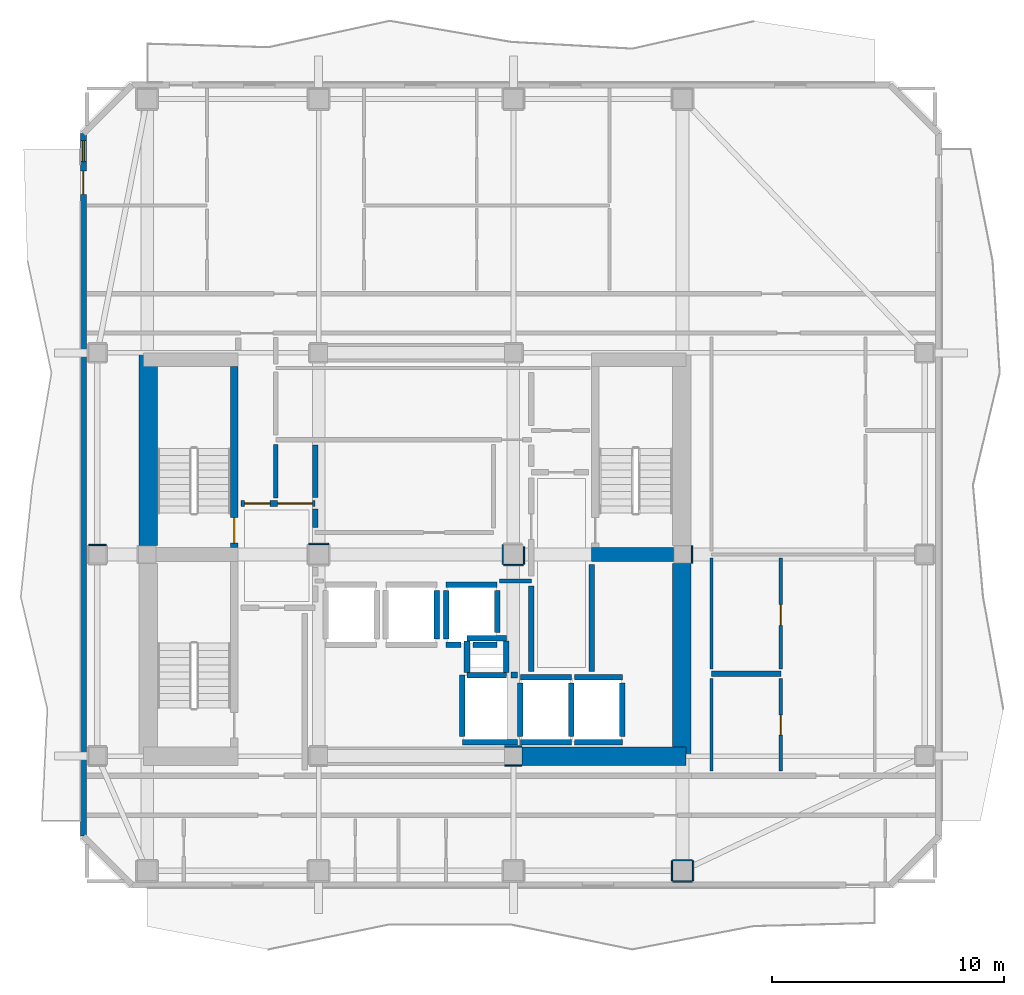
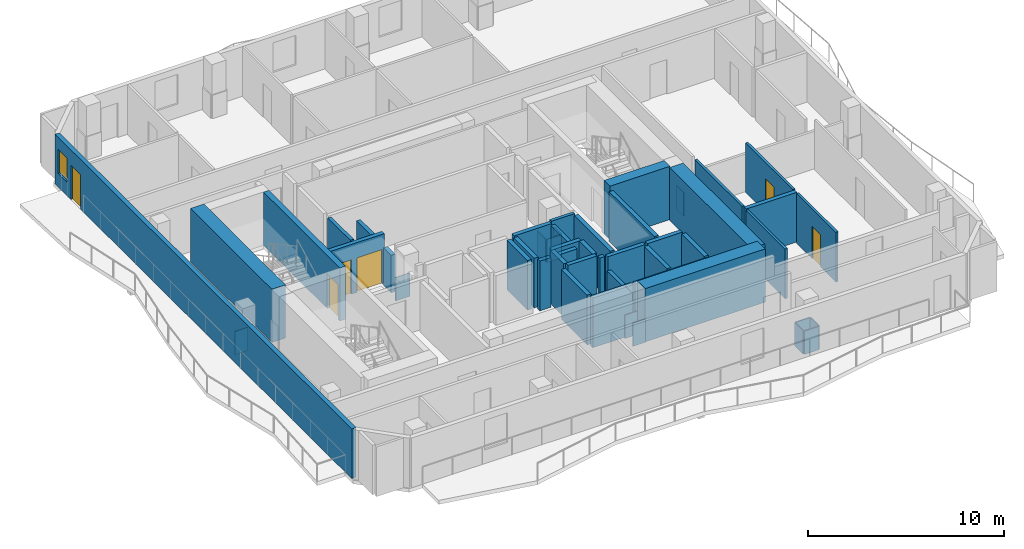
# One storey, part 3 of 9: 50 walls, 6 doors, 1 window, 7 openings.
"""IFC4 building model written with IfcOpenShell, lengths in metres."""

from ifc_helpers import new_model, si_unit, direction, frame, frame_2d, origin, place, context, subcontext, project, spatial, rectangle, extrude, material, layer, layer_set, type_object, element, fill, save


model = new_model("IFC4")

# Units and contexts
model_context = context("Model", 3, precision=1e-05, world=origin(), true_north=direction((0.0, 1.0)))
body_context = subcontext(model_context, "Body", "Model", "MODEL_VIEW")
ifc_project = project(units=[si_unit("LENGTHUNIT", "METRE"), si_unit("AREAUNIT", "SQUARE_METRE"), si_unit("VOLUMEUNIT", "CUBIC_METRE"), si_unit("PLANEANGLEUNIT", "RADIAN"), si_unit("MASSUNIT", "GRAM", prefix="KILO")], contexts=[model_context])

# Site, building, storey
site_placement = place(None, origin())
site = spatial("IfcSite", under=ifc_project, at=site_placement, CompositionType="ELEMENT")
building_placement = place(site_placement, origin())
building = spatial("IfcBuilding", under=site, at=building_placement, Name="Solanera Arch Residences", CompositionType="ELEMENT")
storey_placement = place(building_placement, frame((0.0, 0.0, 234.60009765625)))
storey = spatial("IfcBuildingStorey", under=building, at=storey_placement, Name="L68", CompositionType="ELEMENT", Elevation=234.60009765625)

# Walls
ifc_material_1 = material(Name="Fire-Rated Gypsum Stud Partition", Category="gypsum")
ifc_layer_1 = layer(ifc_material_1, 0.06005859375)
ifc_layer_set_1 = layer_set([ifc_layer_1], Name="Fire-Rated Gypsum Stud Partition")
wall_type_1 = type_object("IfcWallType", Name="Column Acoustic Furring Wall 60", PredefinedType="PARTITIONING", material=ifc_layer_set_1)
for number, where, z_axis, x_axis, name in (
    (1, (28.8330078125, 21.593017578125, 0.0), (0.0, 0.0, 1.0), (1.0, 0.0, 0.0), "L68 Column Furring 2S"),
    (2, (28.8330078125, 22.406982421875, 0.0), (0.0, 0.0, 1.0), (1.0, 0.0, 0.0), "L68 Column Furring 2N"),
):
    element("IfcWall", number, at=place(storey_placement, frame(where, z_axis=z_axis, x_axis=x_axis)), inside=storey, type_object=wall_type_1, Name=name, PredefinedType="PARTITIONING", context=body_context, shape_type="SweptSolid", body=[
        extrude(rectangle(XDim=0.73388671875, YDim=0.06005859375, at=frame_2d((0.366943359375, 0.0))), origin(), (0.0, 0.0, 1.0), 1.449951171875),
    ])
wall_1_placement = place(storey_placement, frame((36.906982421875, 30.324951171875, 0.0), z_axis=(0.0, 0.0, 1.0), x_axis=(0.0, 1.0, 0.0)))
element("IfcWall", 3, at=wall_1_placement, inside=storey, type_object=wall_type_1, Name="L68 Column Furring 6E", PredefinedType="PARTITIONING", context=body_context, shape_type="SweptSolid", body=[
    extrude(rectangle(XDim=0.75, YDim=0.06005859375, at=frame_2d((0.375, 0.0))), origin(), (0.0, 0.0, 1.0), 1.449951171875),
])
for number, where, z_axis, x_axis, name in (
    (4, (20.375, 31.156982421875, 0.0), (0.0, 0.0, 1.0), (1.0, 0.0, 0.0), "L68 Column Furring 7N"),
    (5, (28.77490234375, 30.242919921875, 0.0), (0.0, 0.0, 1.0), (1.0, 0.0, 0.0), "L68 Column Furring 8S"),
    (6, (28.742919921875, 30.27490234375, 0.0), (0.0, 0.0, 1.0), (0.0, 1.0, 0.0), "L68 Column Furring 8W"),
):
    element("IfcWall", number, at=place(storey_placement, frame(where, z_axis=z_axis, x_axis=x_axis)), inside=storey, type_object=wall_type_1, Name=name, PredefinedType="PARTITIONING", context=body_context, shape_type="SweptSolid", body=[
        extrude(rectangle(XDim=0.85009765625, YDim=0.06005859375, at=frame_2d((0.425048828125, 0.0))), origin(), (0.0, 0.0, 1.0), 1.449951171875),
    ])
wall_2_placement = place(storey_placement, frame((29.656982421875, 30.27490234375, 0.0), z_axis=(0.0, 0.0, 1.0), x_axis=(0.0, 1.0, 0.0)))
element("IfcWall", 7, at=wall_2_placement, inside=storey, type_object=wall_type_1, Name="L68 Column Furring 8E", PredefinedType="PARTITIONING", context=body_context, shape_type="SweptSolid", body=[
    extrude(rectangle(XDim=0.757080078125, YDim=0.06005859375, at=frame_2d((0.37841796875, 0.0))), origin(), (0.0, 0.0, 1.0), 1.449951171875),
])
for number, where, z_axis, x_axis, name in (
    (8, (36.074951171875, 16.593017578125, 0.0), (0.0, 0.0, 1.0), (1.0, 0.0, 0.0), "L68 Column Furring 15S"),
    (9, (36.074951171875, 17.507080078125, 0.0), (0.0, 0.0, 1.0), (1.0, 0.0, 0.0), "L68 Column Furring 15N"),
    (10, (36.04296875, 16.625, 0.0), (0.0, 0.0, 1.0), (0.0, 1.0, 0.0), "L68 Column Furring 15W"),
    (11, (36.95703125, 16.625, 0.0), (0.0, 0.0, 1.0), (0.0, 1.0, 0.0), "L68 Column Furring 15E"),
):
    element("IfcWall", number, at=place(storey_placement, frame(where, z_axis=z_axis, x_axis=x_axis)), inside=storey, type_object=wall_type_1, Name=name, PredefinedType="PARTITIONING", context=body_context, shape_type="SweptSolid", body=[
        extrude(rectangle(XDim=0.85009765625, YDim=0.06005859375, at=frame_2d((0.425048828125, 0.0))), origin(), (0.0, 0.0, 1.0), 1.449951171875),
    ])
wall_3_placement = place(storey_placement, frame((10.875, 31.10693359375, 0.0), z_axis=(0.0, 0.0, 1.0), x_axis=(1.0, 0.0, 0.0)))
element("IfcWall", 12, at=wall_3_placement, inside=storey, type_object=wall_type_1, Name="L68 Column Furring 19N", PredefinedType="PARTITIONING", context=body_context, shape_type="SweptSolid", body=[
    extrude(rectangle(XDim=0.75, YDim=0.06005859375, at=frame_2d((0.375, 0.0))), origin(), (0.0, 0.0, 1.0), 1.449951171875),
])

# Wall, opening, door
ifc_material_2 = material(Name="Concrete C40/50 (f'c = 45 MPa)", Category="concrete")
ifc_layer_2 = layer(ifc_material_2, 0.320068359375)
ifc_layer_set_2 = layer_set([ifc_layer_2], Name="Concrete C40/50 (f'c = 45 MPa)")
wall_type_2 = type_object("IfcWallType", Name="Core Shear Wall CW-320", PredefinedType="SHEAR", material=ifc_layer_set_2)
wall_4_placement = place(storey_placement, frame((17.159912109375, 31.0, 0.0), z_axis=(0.0, 0.0, 1.0), x_axis=(0.0, 1.0, 0.0)))
wall_4 = element("IfcWall", 13, at=wall_4_placement, inside=storey, type_object=wall_type_2, Name="L68 Stair ST-T1 East Shear Wall", PredefinedType="SHEAR", context=body_context, shape_type="SweptSolid", body=[
    extrude(rectangle(XDim=7.800048828125, YDim=0.320068359375, at=frame_2d((3.89990234375, 0.0))), origin(), (0.0, 0.0, 1.0), 3.31982421875),
])
opening_1_placement = place(wall_4_placement, frame((0.18994140625, 0.0, 0.0)))
opening_1 = element("IfcOpeningElement", 14, at=opening_1_placement, cuts=wall_4, Name="Opening DF-01", PredefinedType="OPENING", context=body_context, shape_type="SweptSolid", body=[
    extrude(rectangle(XDim=1.10009765625, YDim=2.14990234375, at=frame_2d((0.550048828125, 1.074951171875))), frame((0.0, 0.169921875, 0.0), z_axis=(0.0, -1.0, 0.0), x_axis=(1.0, 0.0, 0.0)), (0.0, 0.0, 1.0), 0.3401),
])
ifc_material_3 = material(Name="Fire-Rated Architectural Hardwood", Category="wood")
door_type_1 = type_object("IfcDoorType", Name="Stair Exit Fire Door DF-01", OperationType="NOTDEFINED", PredefinedType="DOOR", material=ifc_material_3)
door_1_placement = place(opening_1_placement, origin())
door_1 = element("IfcDoor", 15, at=door_1_placement, inside=storey, type_object=door_type_1, Name="DR-L68-STAIR-ST-T1", OperationType="SINGLE_SWING_LEFT", OverallHeight=2.14990234375, OverallWidth=1.10009765625, PredefinedType="DOOR", context=body_context, shape_type="SweptSolid", body=[
    extrude(rectangle(XDim=1.10009765625, YDim=2.14990234375, at=frame_2d((0.550048828125, 1.074951171875))), frame((0.0, 0.02490234375, 0.0), z_axis=(0.0, -1.0, 0.0), x_axis=(1.0, 0.0, 0.0)), (0.0, 0.0, 1.0), 0.050048828125),
])
fill(opening_1, door_1)

# Walls
ifc_material_4 = material(Name="Concrete C40/50 (f'c = 45 MPa)", Category="concrete")
ifc_layer_3 = layer(ifc_material_4, 0.60009765625)
ifc_layer_set_3 = layer_set([ifc_layer_3], Name="Concrete C40/50 (f'c = 45 MPa)")
wall_type_3 = type_object("IfcWallType", Name="Core Shear Wall CW-600", PredefinedType="SHEAR", material=ifc_layer_set_3)
wall_5_placement = place(storey_placement, frame((32.580078125, 30.699951171875, 0.0), z_axis=(0.0, 0.0, 1.0), x_axis=(1.0, 0.0, 0.0)))
element("IfcWall", 16, at=wall_5_placement, inside=storey, type_object=wall_type_3, Name="L68 East Stair Far-Landing Shear Wall", PredefinedType="SHEAR", context=body_context, shape_type="SweptSolid", body=[
    extrude(rectangle(XDim=3.5400390625, YDim=0.60009765625, at=frame_2d((1.77001953125, 0.0))), origin(), (0.0, 0.0, 1.0), 3.31982421875),
])
ifc_material_5 = material(Name="Concrete C40/50 (f'c = 45 MPa)", Category="concrete")
ifc_layer_4 = layer(ifc_material_5, 0.800048828125)
ifc_layer_set_4 = layer_set([ifc_layer_4], Name="Concrete C40/50 (f'c = 45 MPa)")
wall_type_4 = type_object("IfcWallType", Name="Core Shear Wall CW-800", PredefinedType="SHEAR", material=ifc_layer_set_4)
wall_6_placement = place(storey_placement, frame((13.43994140625, 31.080078125, 0.0), z_axis=(0.0, 0.0, 1.0), x_axis=(0.0, 1.0, 0.0)))
element("IfcWall", 17, at=wall_6_placement, inside=storey, type_object=wall_type_4, Name="L68 West Core North Shear Wall", PredefinedType="SHEAR", context=body_context, shape_type="SweptSolid", body=[
    extrude(rectangle(XDim=8.31982421875, YDim=0.800048828125, at=frame_2d((4.159912109375, 0.0))), origin(), (0.0, 0.0, 1.0), 3.31982421875),
])
wall_7_placement = place(storey_placement, frame((36.4599609375, 22.0, 0.0), z_axis=(0.0, 0.0, 1.0), x_axis=(0.0, 1.0, 0.0)))
element("IfcWall", 18, at=wall_7_placement, inside=storey, type_object=wall_type_4, Name="L68 East Core South Shear Wall", PredefinedType="SHEAR", context=body_context, shape_type="SweptSolid", body=[
    extrude(rectangle(XDim=8.320068359375, YDim=0.800048828125, at=frame_2d((4.16015625, 0.0))), origin(), (0.0, 0.0, 1.0), 3.31982421875),
])
wall_8_placement = place(storey_placement, frame((29.580078125, 22.0, 0.0), z_axis=(0.0, 0.0, 1.0), x_axis=(1.0, 0.0, 0.0)))
element("IfcWall", 19, at=wall_8_placement, inside=storey, type_object=wall_type_4, Name="L68 South-East Core Shear Wall", PredefinedType="SHEAR", context=body_context, shape_type="SweptSolid", body=[
    extrude(rectangle(XDim=7.079833984375, YDim=0.800048828125, at=frame_2d((3.5400390625, 0.0))), origin(), (0.0, 0.0, 1.0), 3.31982421875),
])
ifc_material_6 = material(Name="Autoclaved Aerated Concrete Blockwork", Category="masonry")
ifc_layer_5 = layer(ifc_material_6, 0.179931640625)
ifc_layer_set_5 = layer_set([ifc_layer_5], Name="Autoclaved Aerated Concrete Blockwork")
wall_type_5 = type_object("IfcWallType", Name="Corridor Fire Partition 180", PredefinedType="PARTITIONING", material=ifc_layer_set_5)
wall_9_placement = place(storey_placement, frame((28.593017578125, 29.550048828125, 0.0), z_axis=(0.0, 0.0, 1.0), x_axis=(1.0, 0.0, 0.0)))
element("IfcWall", 20, at=wall_9_placement, inside=storey, type_object=wall_type_5, Name="L68 Interior Partition H9 2", PredefinedType="PARTITIONING", context=body_context, shape_type="SweptSolid", body=[
    extrude(rectangle(XDim=1.382080078125, YDim=0.179931640625, at=frame_2d((0.69091796875, 0.0))), origin(), (0.0, 0.0, 1.0), 3.099853515625),
])

# Wall, openings, door, window
ifc_material_7 = material(Name="Precast Concrete C35/45", Category="concrete")
ifc_layer_6 = layer(ifc_material_7, 0.260009765625)
ifc_layer_set_6 = layer_set([ifc_layer_6], Name="Precast Concrete C35/45")
wall_type_6 = type_object("IfcWallType", Name="Exterior Wall Precast Masonry-Frame 260", PredefinedType="STANDARD", material=ifc_layer_set_6)
wall_10_placement = place(storey_placement, frame((10.64501953125, 18.544921875, 0.0), z_axis=(0.0, 0.0, 1.0), x_axis=(0.0, 1.0, 0.0)))
wall_10 = element("IfcWall", 21, at=wall_10_placement, inside=storey, type_object=wall_type_6, Name="L68 Tower Exterior Precast Masonry-Frame Wall W", PredefinedType="STANDARD", context=body_context, shape_type="SweptSolid", body=[
    extrude(rectangle(XDim=30.31005859375, YDim=0.260009765625, at=frame_2d((15.155029296875, 0.0))), origin(), (0.0, 0.0, 1.0), 3.099853515625),
])
opening_2_placement = place(wall_10_placement, frame((27.695068359375, 0.0, 0.0)))
opening_2 = element("IfcOpeningElement", 22, at=opening_2_placement, cuts=wall_10, Name="Opening DB-01", PredefinedType="OPENING", context=body_context, shape_type="SweptSolid", body=[
    extrude(rectangle(XDim=1.0, YDim=2.14990234375, at=frame_2d((0.5, 1.074951171875))), frame((0.0, 0.139892578125, 0.0), z_axis=(0.0, -1.0, 0.0), x_axis=(1.0, 0.0, 0.0)), (0.0, 0.0, 1.0), 0.28),
])
opening_3_placement = place(wall_10_placement, frame((29.10791015625, 0.0, 0.85009765625)))
opening_3 = element("IfcOpeningElement", 23, at=opening_3_placement, cuts=wall_10, Name="Opening W-06", PredefinedType="OPENING", context=body_context, shape_type="SweptSolid", body=[
    extrude(rectangle(XDim=0.89990234375, YDim=1.5, at=frame_2d((0.449951171875, 0.75))), frame((0.0, 0.139892578125, 0.0), z_axis=(0.0, -1.0, 0.0), x_axis=(1.0, 0.0, 0.0)), (0.0, 0.0, 1.0), 0.28),
])
ifc_material_8 = material(Name="Anodised Aluminium Alloy 6063-T6", Category="aluminium")
door_type_2 = type_object("IfcDoorType", Name="Glazed Balcony Swing Door DB-01", OperationType="NOTDEFINED", PredefinedType="DOOR", material=ifc_material_8)
door_2_placement = place(opening_2_placement, origin())
door_2 = element("IfcDoor", 24, at=door_2_placement, inside=storey, type_object=door_type_2, Name="DR-L68-OUT-04", OperationType="SINGLE_SWING_LEFT", OverallHeight=2.14990234375, OverallWidth=1.0, PredefinedType="DOOR", context=body_context, shape_type="SweptSolid", body=[
    extrude(rectangle(XDim=1.0, YDim=2.14990234375, at=frame_2d((0.5, 1.074951171875))), frame((0.0, 0.02490234375, 0.0), z_axis=(0.0, -1.0, 0.0), x_axis=(1.0, 0.0, 0.0)), (0.0, 0.0, 1.0), 0.050048828125),
])
fill(opening_2, door_2)
ifc_material_9 = material(Name="Double Glazed Low-E Laminated Glass", Category="glass")
window_type = type_object("IfcWindowType", Name="Punched Window W-06", PartitioningType="SINGLE_PANEL", PredefinedType="WINDOW", material=ifc_material_9)
window_placement = place(opening_3_placement, origin())
window = element("IfcWindow", 25, at=window_placement, inside=storey, type_object=window_type, Name="L68 6803-BR1 Punched Window", OverallHeight=1.5, OverallWidth=0.89990234375, PartitioningType="SINGLE_PANEL", PredefinedType="WINDOW", context=body_context, shape_type="SweptSolid", body=[
    extrude(rectangle(XDim=0.89990234375, YDim=1.5, at=frame_2d((0.449951171875, 0.75))), frame((0.0, 0.030029296875, 0.0), z_axis=(0.0, -1.0, 0.0), x_axis=(1.0, 0.0, 0.0)), (0.0, 0.0, 1.0), 0.06005859375),
])
fill(opening_3, window)

# Walls
ifc_material_10 = material(Name="Autoclaved Aerated Concrete Blockwork", Category="masonry")
ifc_layer_7 = layer(ifc_material_10, 0.199951171875)
ifc_layer_set_7 = layer_set([ifc_layer_7], Name="Autoclaved Aerated Concrete Blockwork")
wall_type_7 = type_object("IfcWallType", Name="Party Wall Acoustic 200", PredefinedType="PARTITIONING", material=ifc_layer_set_7)
wall_11_placement = place(storey_placement, frame((18.949951171875, 33.1279296875, 0.0), z_axis=(0.0, 0.0, 1.0), x_axis=(0.0, 1.0, 0.0)))
element("IfcWall", 26, at=wall_11_placement, inside=storey, type_object=wall_type_7, Name="L68 Interior Partition V6 1", PredefinedType="PARTITIONING", context=body_context, shape_type="SweptSolid", body=[
    extrude(rectangle(XDim=2.31396484375, YDim=0.199951171875, at=frame_2d((1.156982421875, 0.0))), origin(), (0.0, 0.0, 1.0), 3.099853515625),
])
ifc_material_11 = material(Name="Concrete C40/50 (f'c = 45 MPa)", Category="concrete")
ifc_layer_8 = layer(ifc_material_11, 0.239990234375)
ifc_layer_set_8 = layer_set([ifc_layer_8], Name="Concrete C40/50 (f'c = 45 MPa)")
wall_type_8 = type_object("IfcWallType", Name="Ramp Bearing Shear Wall RW-240", PredefinedType="SHEAR", material=ifc_layer_set_8)
for number, where, z_axis, x_axis, name in (
    (27, (27.199951171875, 25.47998046875, 0.0), (0.0, 0.0, 1.0), (1.0, 0.0, 0.0), "L68 Core MEP Riser South Shaft Wall"),
    (28, (27.199951171875, 27.080078125, 0.0), (0.0, 0.0, 1.0), (1.0, 0.0, 0.0), "L68 Core MEP Riser North Shaft Wall"),
):
    element("IfcWall", number, at=place(storey_placement, frame(where, z_axis=z_axis, x_axis=x_axis)), inside=storey, type_object=wall_type_8, Name=name, PredefinedType="SHEAR", context=body_context, shape_type="SweptSolid", body=[
        extrude(rectangle(XDim=1.699951171875, YDim=0.239990234375, at=frame_2d((0.85009765625, 0.0))), origin(), (0.0, 0.0, 1.0), 3.31982421875),
    ])
for number, where, z_axis, x_axis, name in (
    (29, (27.199951171875, 25.60009765625, 0.0), (0.0, 0.0, 1.0), (0.0, 1.0, 0.0), "L68 Core MEP Riser West Shaft Wall"),
    (30, (28.89990234375, 25.60009765625, 0.0), (0.0, 0.0, 1.0), (0.0, 1.0, 0.0), "L68 Core MEP Riser East Shaft Wall"),
):
    element("IfcWall", number, at=place(storey_placement, frame(where, z_axis=z_axis, x_axis=x_axis)), inside=storey, type_object=wall_type_8, Name=name, PredefinedType="SHEAR", context=body_context, shape_type="SweptSolid", body=[
        extrude(rectangle(XDim=1.35986328125, YDim=0.239990234375, at=frame_2d((0.679931640625, 0.0))), origin(), (0.0, 0.0, 1.0), 3.31982421875),
    ])
ifc_material_12 = material(Name="Autoclaved Aerated Concrete Blockwork", Category="masonry")
ifc_layer_9 = layer(ifc_material_12, 0.239990234375)
ifc_layer_set_9 = layer_set([ifc_layer_9], Name="Autoclaved Aerated Concrete Blockwork")
wall_type_9 = type_object("IfcWallType", Name="Shaft Wall Fire-Rated 240", PredefinedType="PARTITIONING", material=ifc_layer_set_9)
wall_12_placement = place(storey_placement, frame((25.89990234375, 27.048095703125, 0.0), z_axis=(0.0, 0.0, 1.0), x_axis=(0.0, 1.0, 0.0)))
element("IfcWall", 31, at=wall_12_placement, inside=storey, type_object=wall_type_9, Name="L68 Lift PL-H2 Hoistway Wall E", PredefinedType="PARTITIONING", context=body_context, shape_type="SweptSolid", body=[
    extrude(rectangle(XDim=2.10400390625, YDim=0.239990234375, at=frame_2d((1.052001953125, 0.0))), origin(), (0.0, 0.0, 1.0), 3.099853515625),
])
wall_13_placement = place(storey_placement, frame((26.300048828125, 26.800048828125, 0.0), z_axis=(0.0, 0.0, 1.0), x_axis=(1.0, 0.0, 0.0)))
element("IfcWall", 32, at=wall_13_placement, inside=storey, type_object=wall_type_9, Name="L68 Lift PL-H3 Hoistway Wall S 1", PredefinedType="PARTITIONING", context=body_context, shape_type="SweptSolid", body=[
    extrude(rectangle(XDim=0.64990234375, YDim=0.239990234375, at=frame_2d((0.324951171875, 0.0))), origin(), (0.0, 0.0, 1.0), 3.099853515625),
])
wall_14_placement = place(storey_placement, frame((27.449951171875, 26.800048828125, 0.0), z_axis=(0.0, 0.0, 1.0), x_axis=(1.0, 0.0, 0.0)))
element("IfcWall", 33, at=wall_14_placement, inside=storey, type_object=wall_type_9, Name="L68 Lift PL-H3 Hoistway Wall S 2", PredefinedType="PARTITIONING", context=body_context, shape_type="SweptSolid", body=[
    extrude(rectangle(XDim=1.050048828125, YDim=0.239990234375, at=frame_2d((0.52490234375, 0.0))), origin(), (0.0, 0.0, 1.0), 3.099853515625),
])
wall_15_placement = place(storey_placement, frame((26.300048828125, 29.39990234375, 0.0), z_axis=(0.0, 0.0, 1.0), x_axis=(1.0, 0.0, 0.0)))
element("IfcWall", 34, at=wall_15_placement, inside=storey, type_object=wall_type_9, Name="L68 Lift PL-H3 Hoistway Wall N", PredefinedType="PARTITIONING", context=body_context, shape_type="SweptSolid", body=[
    extrude(rectangle(XDim=2.199951171875, YDim=0.239990234375, at=frame_2d((1.10009765625, 0.0))), origin(), (0.0, 0.0, 1.0), 3.099853515625),
])
wall_16_placement = place(storey_placement, frame((26.300048828125, 27.048095703125, 0.0), z_axis=(0.0, 0.0, 1.0), x_axis=(0.0, 1.0, 0.0)))
element("IfcWall", 35, at=wall_16_placement, inside=storey, type_object=wall_type_9, Name="L68 Lift PL-H3 Hoistway Wall W", PredefinedType="PARTITIONING", context=body_context, shape_type="SweptSolid", body=[
    extrude(rectangle(XDim=2.10400390625, YDim=0.239990234375, at=frame_2d((1.052001953125, 0.0))), origin(), (0.0, 0.0, 1.0), 3.099853515625),
])
wall_17_placement = place(storey_placement, frame((28.5, 27.330078125, 0.0), z_axis=(0.0, 0.0, 1.0), x_axis=(0.0, 1.0, 0.0)))
element("IfcWall", 36, at=wall_17_placement, inside=storey, type_object=wall_type_9, Name="L68 Lift PL-H3 Hoistway Wall E", PredefinedType="PARTITIONING", context=body_context, shape_type="SweptSolid", body=[
    extrude(rectangle(XDim=1.822021484375, YDim=0.239990234375, at=frame_2d((0.9111328125, 0.0))), origin(), (0.0, 0.0, 1.0), 3.099853515625),
])
for number, where, z_axis, x_axis, name in (
    (37, (29.5, 22.60009765625, 0.0), (0.0, 0.0, 1.0), (1.0, 0.0, 0.0), "L68 Lift FFL-1 Hoistway Wall S"),
    (38, (29.5, 25.39990234375, 0.0), (0.0, 0.0, 1.0), (1.0, 0.0, 0.0), "L68 Lift FFL-1 Hoistway Wall N"),
):
    element("IfcWall", number, at=place(storey_placement, frame(where, z_axis=z_axis, x_axis=x_axis)), inside=storey, type_object=wall_type_9, Name=name, PredefinedType="PARTITIONING", context=body_context, shape_type="SweptSolid", body=[
        extrude(rectangle(XDim=2.199951171875, YDim=0.239990234375, at=frame_2d((1.10009765625, 0.0))), origin(), (0.0, 0.0, 1.0), 3.099853515625),
    ])
wall_18_placement = place(storey_placement, frame((29.5, 22.847900390625, 0.0), z_axis=(0.0, 0.0, 1.0), x_axis=(0.0, 1.0, 0.0)))
element("IfcWall", 39, at=wall_18_placement, inside=storey, type_object=wall_type_9, Name="L68 Lift FFL-1 Hoistway Wall W", PredefinedType="PARTITIONING", context=body_context, shape_type="SweptSolid", body=[
    extrude(rectangle(XDim=2.30419921875, YDim=0.239990234375, at=frame_2d((1.152099609375, 0.0))), origin(), (0.0, 0.0, 1.0), 2.3349609375),
])
wall_19_placement = place(storey_placement, frame((31.699951171875, 22.847900390625, 0.0), z_axis=(0.0, 0.0, 1.0), x_axis=(0.0, 1.0, 0.0)))
element("IfcWall", 40, at=wall_19_placement, inside=storey, type_object=wall_type_9, Name="L68 Lift FFL-1 Hoistway Wall E", PredefinedType="PARTITIONING", context=body_context, shape_type="SweptSolid", body=[
    extrude(rectangle(XDim=2.30419921875, YDim=0.239990234375, at=frame_2d((1.152099609375, 0.0))), origin(), (0.0, 0.0, 1.0), 3.099853515625),
])
for number, where, z_axis, x_axis, name in (
    (41, (31.827880859375, 22.60009765625, 0.0), (0.0, 0.0, 1.0), (1.0, 0.0, 0.0), "L68 Lift FFL-2 Hoistway Wall S"),
    (42, (31.827880859375, 25.39990234375, 0.0), (0.0, 0.0, 1.0), (1.0, 0.0, 0.0), "L68 Lift FFL-2 Hoistway Wall N"),
):
    element("IfcWall", number, at=place(storey_placement, frame(where, z_axis=z_axis, x_axis=x_axis)), inside=storey, type_object=wall_type_9, Name=name, PredefinedType="PARTITIONING", context=body_context, shape_type="SweptSolid", body=[
        extrude(rectangle(XDim=2.072021484375, YDim=0.239990234375, at=frame_2d((1.0361328125, 0.0))), origin(), (0.0, 0.0, 1.0), 3.099853515625),
    ])
wall_20_placement = place(storey_placement, frame((33.89990234375, 22.847900390625, 0.0), z_axis=(0.0, 0.0, 1.0), x_axis=(0.0, 1.0, 0.0)))
element("IfcWall", 43, at=wall_20_placement, inside=storey, type_object=wall_type_9, Name="L68 Lift FFL-2 Hoistway Wall E", PredefinedType="PARTITIONING", context=body_context, shape_type="SweptSolid", body=[
    extrude(rectangle(XDim=2.30419921875, YDim=0.239990234375, at=frame_2d((1.152099609375, 0.0))), origin(), (0.0, 0.0, 1.0), 3.099853515625),
])
wall_21_placement = place(storey_placement, frame((27.0, 22.60009765625, 0.0), z_axis=(0.0, 0.0, 1.0), x_axis=(1.0, 0.0, 0.0)))
element("IfcWall", 44, at=wall_21_placement, inside=storey, type_object=wall_type_9, Name="L68 Lift SVL-1 Hoistway Wall S", PredefinedType="PARTITIONING", context=body_context, shape_type="SweptSolid", body=[
    extrude(rectangle(XDim=2.3720703125, YDim=0.239990234375, at=frame_2d((1.18603515625, 0.0))), origin(), (0.0, 0.0, 1.0), 3.099853515625),
])
wall_22_placement = place(storey_placement, frame((29.10302734375, 25.5, 0.0), z_axis=(0.0, 0.0, 1.0), x_axis=(1.0, 0.0, 0.0)))
element("IfcWall", 45, at=wall_22_placement, inside=storey, type_object=wall_type_9, Name="L68 Lift SVL-1 Hoistway Wall N", PredefinedType="PARTITIONING", context=body_context, shape_type="SweptSolid", body=[
    extrude(rectangle(XDim=0.26904296875, YDim=0.239990234375, at=frame_2d((0.134521484375, 0.0))), origin(), (0.0, 0.0, 1.0), 3.099853515625),
])
wall_23_placement = place(storey_placement, frame((27.0, 22.847900390625, 0.0), z_axis=(0.0, 0.0, 1.0), x_axis=(0.0, 1.0, 0.0)))
element("IfcWall", 46, at=wall_23_placement, inside=storey, type_object=wall_type_9, Name="L68 Lift SVL-1 Hoistway Wall W", PredefinedType="PARTITIONING", context=body_context, shape_type="SweptSolid", body=[
    extrude(rectangle(XDim=2.650146484375, YDim=0.239990234375, at=frame_2d((1.3251953125, 0.0))), origin(), (0.0, 0.0, 1.0), 3.099853515625),
])
wall_24_placement = place(storey_placement, frame((37.75, 25.550048828125, 0.0), z_axis=(0.0, 0.0, 1.0), x_axis=(1.0, 0.0, 0.0)))
element("IfcWall", 47, at=wall_24_placement, inside=storey, type_object=wall_type_9, Name="L68 Interior Partition H3", PredefinedType="PARTITIONING", context=body_context, shape_type="SweptSolid", body=[
    extrude(rectangle(XDim=2.991943359375, YDim=0.239990234375, at=frame_2d((1.49609375, 0.0))), origin(), (0.0, 0.0, 1.0), 3.099853515625),
])

# Wall, openings, doors
wall_25_placement = place(storey_placement, frame((17.449951171875, 32.89990234375, 0.0), z_axis=(0.0, 0.0, 1.0), x_axis=(1.0, 0.0, 0.0)))
wall_25 = element("IfcWall", 48, at=wall_25_placement, inside=storey, type_object=wall_type_9, Name="L68 Interior Partition H5", PredefinedType="PARTITIONING", context=body_context, shape_type="SweptSolid", body=[
    extrude(rectangle(XDim=3.199951171875, YDim=0.239990234375, at=frame_2d((1.60009765625, 0.0))), origin(), (0.0, 0.0, 1.0), 3.099853515625),
])
opening_4_placement = place(wall_25_placement, frame((0.158935546875, 0.0, 0.0)))
opening_4 = element("IfcOpeningElement", 49, at=opening_4_placement, cuts=wall_25, Name="Opening DF-02", PredefinedType="OPENING", context=body_context, shape_type="SweptSolid", body=[
    extrude(rectangle(XDim=1.10009765625, YDim=2.14990234375, at=frame_2d((0.550048828125, 1.074951171875))), frame((0.0, 0.1298828125, 0.0), z_axis=(0.0, -1.0, 0.0), x_axis=(1.0, 0.0, 0.0)), (0.0, 0.0, 1.0), 0.26),
])
opening_5_placement = place(wall_25_placement, frame((1.575927734375, 0.0, 0.0)))
opening_5 = element("IfcOpeningElement", 50, at=opening_5_placement, cuts=wall_25, Name="Opening DP-01", PredefinedType="OPENING", context=body_context, shape_type="SweptSolid", body=[
    extrude(rectangle(XDim=1.5, YDim=2.14990234375, at=frame_2d((0.75, 1.074951171875))), frame((0.0, 0.1298828125, 0.0), z_axis=(0.0, -1.0, 0.0), x_axis=(1.0, 0.0, 0.0)), (0.0, 0.0, 1.0), 0.26),
])
ifc_material_13 = material(Name="Fire-Rated Architectural Hardwood", Category="wood")
door_type_3 = type_object("IfcDoorType", Name="Firefighting Lobby Fire Door DF-02", OperationType="NOTDEFINED", PredefinedType="DOOR", material=ifc_material_13)
door_3_placement = place(opening_4_placement, origin())
door_3 = element("IfcDoor", 51, at=door_3_placement, inside=storey, type_object=door_type_3, Name="DR-L68-IN-005", OperationType="SINGLE_SWING_LEFT", OverallHeight=2.14990234375, OverallWidth=1.10009765625, PredefinedType="DOOR", context=body_context, shape_type="SweptSolid", body=[
    extrude(rectangle(XDim=1.10009765625, YDim=2.14990234375, at=frame_2d((0.550048828125, 1.074951171875))), frame((0.0, 0.02490234375, 0.0), z_axis=(0.0, -1.0, 0.0), x_axis=(1.0, 0.0, 0.0)), (0.0, 0.0, 1.0), 0.050048828125),
])
fill(opening_4, door_3)
ifc_material_14 = material(Name="Fire-Rated Architectural Hardwood", Category="wood")
door_type_4 = type_object("IfcDoorType", Name="Plant Double Fire Door DP-01", OperationType="NOTDEFINED", PredefinedType="DOOR", material=ifc_material_14)
door_4_placement = place(opening_5_placement, origin())
door_4 = element("IfcDoor", 52, at=door_4_placement, inside=storey, type_object=door_type_4, Name="DR-L68-IN-010", OperationType="SINGLE_SWING_RIGHT", OverallHeight=2.14990234375, OverallWidth=1.5, PredefinedType="DOOR", context=body_context, shape_type="SweptSolid", body=[
    extrude(rectangle(XDim=1.5, YDim=2.14990234375, at=frame_2d((0.75, 1.074951171875))), frame((0.0, 0.02490234375, 0.0), z_axis=(0.0, -1.0, 0.0), x_axis=(1.0, 0.0, 0.0)), (0.0, 0.0, 1.0), 0.050048828125),
])
fill(opening_5, door_4)

# Walls
wall_26_placement = place(storey_placement, frame((20.64990234375, 31.867919921875, 0.0), z_axis=(0.0, 0.0, 1.0), x_axis=(0.0, 1.0, 0.0)))
element("IfcWall", 53, at=wall_26_placement, inside=storey, type_object=wall_type_9, Name="L68 Interior Partition V3 3", PredefinedType="PARTITIONING", context=body_context, shape_type="SweptSolid", body=[
    extrude(rectangle(XDim=0.7841796875, YDim=0.239990234375, at=frame_2d((0.39208984375, 0.0))), origin(), (0.0, 0.0, 1.0), 2.3349609375),
])
wall_27_placement = place(storey_placement, frame((20.64990234375, 33.14794921875, 0.0), z_axis=(0.0, 0.0, 1.0), x_axis=(0.0, 1.0, 0.0)))
element("IfcWall", 54, at=wall_27_placement, inside=storey, type_object=wall_type_9, Name="L68 Interior Partition V3 4", PredefinedType="PARTITIONING", context=body_context, shape_type="SweptSolid", body=[
    extrude(rectangle(XDim=2.274169921875, YDim=0.239990234375, at=frame_2d((1.13720703125, 0.0))), origin(), (0.0, 0.0, 1.0), 2.3349609375),
])
wall_28_placement = place(storey_placement, frame((29.97509765625, 25.64794921875, 0.0), z_axis=(0.0, 0.0, 1.0), x_axis=(0.0, 1.0, 0.0)))
element("IfcWall", 55, at=wall_28_placement, inside=storey, type_object=wall_type_9, Name="L68 Interior Partition V4 1", PredefinedType="PARTITIONING", context=body_context, shape_type="SweptSolid", body=[
    extrude(rectangle(XDim=3.68408203125, YDim=0.239990234375, at=frame_2d((1.842041015625, 0.0))), origin(), (0.0, 0.0, 1.0), 3.099853515625),
])
wall_29_placement = place(storey_placement, frame((32.580078125, 25.64794921875, 0.0), z_axis=(0.0, 0.0, 1.0), x_axis=(0.0, 1.0, 0.0)))
element("IfcWall", 56, at=wall_29_placement, inside=storey, type_object=wall_type_9, Name="L68 Interior Partition V5", PredefinedType="PARTITIONING", context=body_context, shape_type="SweptSolid", body=[
    extrude(rectangle(XDim=4.6220703125, YDim=0.239990234375, at=frame_2d((2.31103515625, 0.0))), origin(), (0.0, 0.0, 1.0), 3.099853515625),
])
ifc_material_15 = material(Name="Autoclaved Aerated Concrete Blockwork", Category="masonry")
ifc_layer_10 = layer(ifc_material_15, 0.139892578125)
ifc_layer_set_10 = layer_set([ifc_layer_10], Name="Autoclaved Aerated Concrete Blockwork")
wall_type_10 = type_object("IfcWallType", Name="Wet-Room Partition 140", PredefinedType="PARTITIONING", material=ifc_layer_set_10)
wall_30_placement = place(storey_placement, frame((37.75, 21.347900390625, 0.0), z_axis=(0.0, 0.0, 1.0), x_axis=(0.0, 1.0, 0.0)))
element("IfcWall", 57, at=wall_30_placement, inside=storey, type_object=wall_type_10, Name="L68 Interior Partition V15 1", PredefinedType="PARTITIONING", context=body_context, shape_type="SweptSolid", body=[
    extrude(rectangle(XDim=4.004150390625, YDim=0.139892578125, at=frame_2d((2.001953125, 0.0))), origin(), (0.0, 0.0, 1.0), 3.099853515625),
])
wall_31_placement = place(storey_placement, frame((37.75, 25.748046875, 0.0), z_axis=(0.0, 0.0, 1.0), x_axis=(0.0, 1.0, 0.0)))
element("IfcWall", 58, at=wall_31_placement, inside=storey, type_object=wall_type_10, Name="L68 Interior Partition V15 2", PredefinedType="PARTITIONING", context=body_context, shape_type="SweptSolid", body=[
    extrude(rectangle(XDim=4.803955078125, YDim=0.139892578125, at=frame_2d((2.40185546875, 0.0))), origin(), (0.0, 0.0, 1.0), 3.099853515625),
])

# Wall, opening, door
wall_32_placement = place(storey_placement, frame((40.741943359375, 21.347900390625, 0.0), z_axis=(0.0, 0.0, 1.0), x_axis=(0.0, 1.0, 0.0)))
wall_32 = element("IfcWall", 59, at=wall_32_placement, inside=storey, type_object=wall_type_10, Name="L68 Interior Partition V16 1", PredefinedType="PARTITIONING", context=body_context, shape_type="SweptSolid", body=[
    extrude(rectangle(XDim=4.004150390625, YDim=0.139892578125, at=frame_2d((2.001953125, 0.0))), origin(), (0.0, 0.0, 1.0), 3.099853515625),
])
opening_6_placement = place(wall_32_placement, frame((1.56005859375, 0.0, 0.0)))
opening_6 = element("IfcOpeningElement", 60, at=opening_6_placement, cuts=wall_32, Name="Opening DI-05", PredefinedType="OPENING", context=body_context, shape_type="SweptSolid", body=[
    extrude(rectangle(XDim=0.860107421875, YDim=2.02001953125, at=frame_2d((0.43017578125, 1.010009765625))), frame((0.0, 0.079833984375, 0.0), z_axis=(0.0, -1.0, 0.0), x_axis=(1.0, 0.0, 0.0)), (0.0, 0.0, 1.0), 0.1599),
])
ifc_material_16 = material(Name="Fire-Rated Architectural Hardwood", Category="wood")
door_type_5 = type_object("IfcDoorType", Name="Bathroom Swing Door DI-05", OperationType="NOTDEFINED", PredefinedType="DOOR", material=ifc_material_16)
door_5_placement = place(opening_6_placement, origin())
door_5 = element("IfcDoor", 61, at=door_5_placement, inside=storey, type_object=door_type_5, Name="DR-L68-IN-029", OperationType="SINGLE_SWING_LEFT", OverallHeight=2.02001953125, OverallWidth=0.860107421875, PredefinedType="DOOR", context=body_context, shape_type="SweptSolid", body=[
    extrude(rectangle(XDim=0.860107421875, YDim=2.02001953125, at=frame_2d((0.43017578125, 1.010009765625))), frame((0.0, 0.02490234375, 0.0), z_axis=(0.0, -1.0, 0.0), x_axis=(1.0, 0.0, 0.0)), (0.0, 0.0, 1.0), 0.050048828125),
])
fill(opening_6, door_5)

wall_33_placement = place(storey_placement, frame((40.741943359375, 25.748046875, 0.0), z_axis=(0.0, 0.0, 1.0), x_axis=(0.0, 1.0, 0.0)))
wall_33 = element("IfcWall", 62, at=wall_33_placement, inside=storey, type_object=wall_type_10, Name="L68 Interior Partition V16 2", PredefinedType="PARTITIONING", context=body_context, shape_type="SweptSolid", body=[
    extrude(rectangle(XDim=4.803955078125, YDim=0.139892578125, at=frame_2d((2.40185546875, 0.0))), origin(), (0.0, 0.0, 1.0), 3.099853515625),
])
opening_7_placement = place(wall_33_placement, frame((1.888916015625, 0.0, 0.0)))
opening_7 = element("IfcOpeningElement", 63, at=opening_7_placement, cuts=wall_33, Name="Opening DI-03", PredefinedType="OPENING", context=body_context, shape_type="SweptSolid", body=[
    extrude(rectangle(XDim=0.89990234375, YDim=2.10009765625, at=frame_2d((0.449951171875, 1.050048828125))), frame((0.0, 0.079833984375, 0.0), z_axis=(0.0, -1.0, 0.0), x_axis=(1.0, 0.0, 0.0)), (0.0, 0.0, 1.0), 0.1599),
])
ifc_material_17 = material(Name="Fire-Rated Architectural Hardwood", Category="wood")
door_type_6 = type_object("IfcDoorType", Name="Bedroom Swing Door DI-03", OperationType="NOTDEFINED", PredefinedType="DOOR", material=ifc_material_17)
door_6_placement = place(opening_7_placement, origin())
door_6 = element("IfcDoor", 64, at=door_6_placement, inside=storey, type_object=door_type_6, Name="DR-L68-IN-030", OperationType="SINGLE_SWING_RIGHT", OverallHeight=2.10009765625, OverallWidth=0.89990234375, PredefinedType="DOOR", context=body_context, shape_type="SweptSolid", body=[
    extrude(rectangle(XDim=0.89990234375, YDim=2.10009765625, at=frame_2d((0.449951171875, 1.050048828125))), frame((0.0, 0.02490234375, 0.0), z_axis=(0.0, -1.0, 0.0), x_axis=(1.0, 0.0, 0.0)), (0.0, 0.0, 1.0), 0.050048828125),
])
fill(opening_7, door_6)

save(model, "model.ifc")
